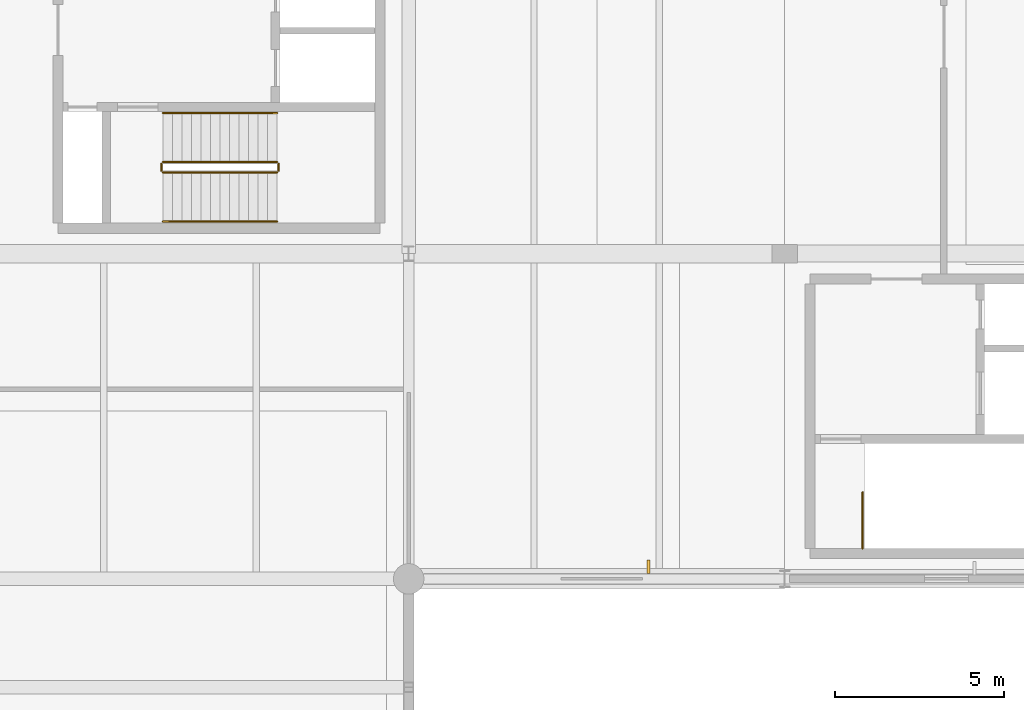
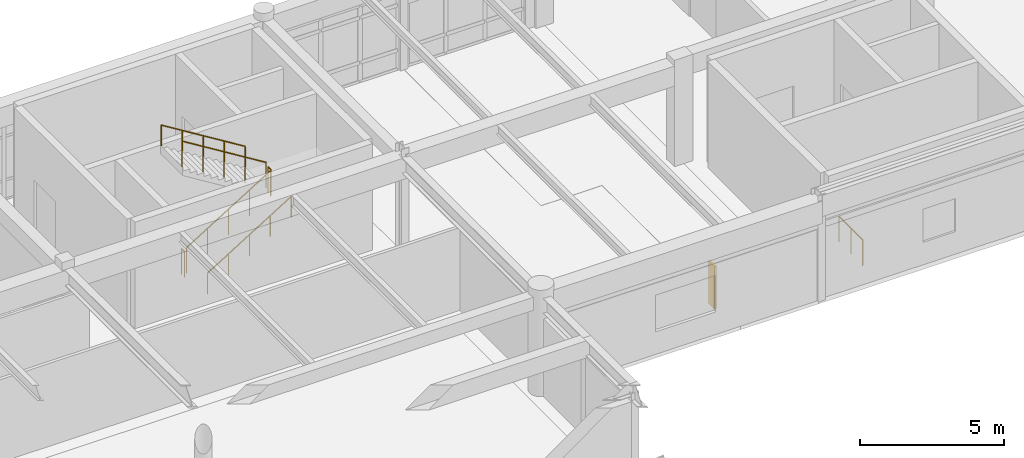
# One storey, part 76 of 80: 7 railings, 1 shading device.
"""IFC4 building model written with IfcOpenShell, lengths in metres."""

from ifc_helpers import new_model, si_unit, direction, frame, origin, origin_2d, place, context, subcontext, project, spatial, rectangle, circle, extrude, material, type_object, element, save


model = new_model("IFC4")

# Units and contexts
model_context = context("Model", 3, precision=1e-05, world=origin(), true_north=direction((0.0, 1.0)))
body_context = subcontext(model_context, "Body", "Model", "MODEL_VIEW")
ifc_project = project(units=[si_unit("LENGTHUNIT", "METRE"), si_unit("AREAUNIT", "SQUARE_METRE"), si_unit("VOLUMEUNIT", "CUBIC_METRE"), si_unit("PLANEANGLEUNIT", "RADIAN"), si_unit("MASSUNIT", "GRAM", prefix="KILO")], contexts=[model_context])

# Site, building, storey
site_placement = place(None, origin())
site = spatial("IfcSite", under=ifc_project, at=site_placement, CompositionType="ELEMENT")
building_placement = place(site_placement, origin())
building = spatial("IfcBuilding", under=site, at=building_placement, Name="Fikremerkos Civic Library", CompositionType="ELEMENT")
storey_placement = place(building_placement, frame((0.0, 0.0, 9.89990234375)))
storey = spatial("IfcBuildingStorey", under=building, at=storey_placement, Name="L02", CompositionType="ELEMENT", Elevation=9.89990234375)

# Railings
ifc_material_1 = material(Name="Painted Steel S275", Category="steel")
railing_type_1 = type_object("IfcRailingType", Name="Interior balustrade guard RLG-INT 1100", PredefinedType="BALUSTRADE", material=ifc_material_1)
railing_1_placement = place(storey_placement, frame((106.449951171875, 24.0, 0.173095703125)))
element("IfcRailing", 1, at=railing_1_placement, inside=storey, type_object=railing_type_1, Name="L02 ST-K2 stair guard 1", PredefinedType="BALUSTRADE", context=body_context, shape_type="SweptSolid", body=[
    extrude(circle(Radius=0.02392578125, at=origin_2d()), frame((0.0, 0.0, 1.076171875), z_axis=(0.850623216509, 0.0, 0.525775754039), x_axis=(0.0, 1.0, 0.0)), (0.0, 0.0, 1.0), 3.9501953125),
    extrude(circle(Radius=0.02099609375, at=origin_2d()), origin(), (0.0, 0.0, 1.0), 1.052001953125),
    extrude(circle(Radius=0.02099609375, at=origin_2d()), frame((0.840087890625, 0.0, 0.519287109375)), (0.0, 0.0, 1.0), 1.052001953125),
    extrude(circle(Radius=0.02099609375, at=origin_2d()), frame((1.68017578125, 0.0, 1.03857421875)), (0.0, 0.0, 1.0), 1.052001953125),
    extrude(circle(Radius=0.02099609375, at=origin_2d()), frame((2.52001953125, 0.0, 1.5576171875)), (0.0, 0.0, 1.0), 1.052001953125),
    extrude(circle(Radius=0.02099609375, at=origin_2d()), frame((3.360107421875, 0.0, 2.076904296875)), (0.0, 0.0, 1.0), 1.052001953125),
])
railing_2_placement = place(storey_placement, frame((109.860107421875, 24.050048828125, 2.25)))
element("IfcRailing", 2, at=railing_2_placement, inside=storey, type_object=railing_type_1, Name="L02 ST-K2 stair guard 2", PredefinedType="BALUSTRADE", context=body_context, shape_type="SweptSolid", body=[
    extrude(circle(Radius=0.02392578125, at=origin_2d()), frame((0.0, 0.0, 1.076171875), z_axis=(0.0, 1.0, 0.0), x_axis=(-1.0, 0.0, 0.0)), (0.0, 0.0, 1.0), 0.199951171875),
    extrude(circle(Radius=0.02099609375, at=origin_2d()), origin(), (0.0, 0.0, 1.0), 1.052001953125),
    extrude(circle(Radius=0.02099609375, at=origin_2d()), frame((0.0, 0.199951171875, 0.0)), (0.0, 0.0, 1.0), 1.052001953125),
])
railing_3_placement = place(storey_placement, frame((109.81005859375, 24.300048828125, 2.423095703125)))
element("IfcRailing", 3, at=railing_3_placement, inside=storey, type_object=railing_type_1, Name="L02 ST-K2 stair guard 3", PredefinedType="BALUSTRADE", context=body_context, shape_type="SweptSolid", body=[
    extrude(circle(Radius=0.02392578125, at=origin_2d()), frame((0.0, 0.0, 1.076171875), z_axis=(-0.850623216509, 0.0, 0.525775754039), x_axis=(0.0, -1.0, 0.0)), (0.0, 0.0, 1.0), 3.9501953125),
    extrude(circle(Radius=0.02099609375, at=origin_2d()), origin(), (0.0, 0.0, 1.0), 1.052001953125),
    extrude(circle(Radius=0.02099609375, at=origin_2d()), frame((-0.840087890625, 0.0, 0.519287109375)), (0.0, 0.0, 1.0), 1.052001953125),
    extrude(circle(Radius=0.02099609375, at=origin_2d()), frame((-1.68017578125, 0.0, 1.03857421875)), (0.0, 0.0, 1.0), 1.052001953125),
    extrude(circle(Radius=0.02099609375, at=origin_2d()), frame((-2.52001953125, 0.0, 1.5576171875)), (0.0, 0.0, 1.0), 1.052001953125),
    extrude(circle(Radius=0.02099609375, at=origin_2d()), frame((-3.360107421875, 0.0, 2.076904296875)), (0.0, 0.0, 1.0), 1.052001953125),
])
railing_4_placement = place(storey_placement, frame((106.39990234375, 24.050048828125, 0.0)))
element("IfcRailing", 4, at=railing_4_placement, inside=storey, type_object=railing_type_1, Name="L02 ST-K2 stair guard 4", PredefinedType="BALUSTRADE", context=body_context, shape_type="SweptSolid", body=[
    extrude(circle(Radius=0.02392578125, at=origin_2d()), frame((0.0, 0.0, 1.076171875), z_axis=(0.0, 1.0, 0.0), x_axis=(-1.0, 0.0, 0.0)), (0.0, 0.0, 1.0), 0.199951171875),
    extrude(circle(Radius=0.02099609375, at=origin_2d()), origin(), (0.0, 0.0, 1.0), 1.052001953125),
    extrude(circle(Radius=0.02099609375, at=origin_2d()), frame((0.0, 0.199951171875, 0.0)), (0.0, 0.0, 1.0), 1.052001953125),
])
railing_5_placement = place(storey_placement, frame((127.10009765625, 12.89990234375, 0.0)))
element("IfcRailing", 5, at=railing_5_placement, inside=storey, type_object=railing_type_1, Name="L02 ST-K4 top well guard 1", PredefinedType="BALUSTRADE", context=body_context, shape_type="SweptSolid", body=[
    extrude(circle(Radius=0.02392578125, at=origin_2d()), frame((0.0, 0.0, 1.076171875), z_axis=(0.0, 1.0, 0.0), x_axis=(-1.0, 0.0, 0.0)), (0.0, 0.0, 1.0), 1.650146484375),
    extrude(circle(Radius=0.02099609375, at=origin_2d()), origin(), (0.0, 0.0, 1.0), 1.052001953125),
    extrude(circle(Radius=0.02099609375, at=origin_2d()), frame((0.0, 0.8251953125, 0.0)), (0.0, 0.0, 1.0), 1.052001953125),
    extrude(circle(Radius=0.02099609375, at=origin_2d()), frame((0.0, 1.650146484375, 0.0)), (0.0, 0.0, 1.0), 1.052001953125),
])

# Shading device
ifc_material_2 = material(Name="Bronze anodized aluminium", Category="aluminium")
shading_device_type = type_object("IfcShadingDeviceType", Name="Perforated bronze vertical solar fin SHD-02", PredefinedType="USERDEFINED", material=ifc_material_2)
shading_device_placement = place(storey_placement, frame((120.780029296875, 12.360107421875, 0.8251953125), z_axis=(0.0, 0.0, 1.0), x_axis=(1.0, 0.0, 0.0)))
element("IfcShadingDevice", 6, at=shading_device_placement, inside=storey, type_object=shading_device_type, Name="Vertical bronze solar fin SHD-02 L02 #47", ObjectType="SOLAR FIN", PredefinedType="USERDEFINED", context=body_context, shape_type="SweptSolid", body=[
    extrude(rectangle(XDim=0.080078125, YDim=0.39990234375, at=origin_2d()), origin(), (0.0, 0.0, 1.0), 1.800048828125),
])

# Railings
ifc_material_3 = material(Name="Brushed stainless steel", Category="steel")
railing_type_2 = type_object("IfcRailingType", Name="Wall and flight handrail HRL-01 900", PredefinedType="HANDRAIL", material=ifc_material_3)
railing_6_placement = place(storey_placement, frame((106.449951171875, 22.550048828125, 0.173095703125)))
element("IfcRailing", 7, at=railing_6_placement, inside=storey, type_object=railing_type_2, Name="L02 ST-K2 stair handrail 1", PredefinedType="HANDRAIL", context=body_context, shape_type="SweptSolid", body=[
    extrude(circle(Radius=0.02392578125, at=origin_2d()), frame((0.0, 0.0, 0.8759765625), z_axis=(0.850623216509, 0.0, 0.525775754039), x_axis=(0.0, 1.0, 0.0)), (0.0, 0.0, 1.0), 3.9501953125),
    extrude(circle(Radius=0.02099609375, at=origin_2d()), origin(), (0.0, 0.0, 1.0), 0.851806640625),
    extrude(circle(Radius=0.02099609375, at=origin_2d()), frame((0.840087890625, 0.0, 0.519287109375)), (0.0, 0.0, 1.0), 0.851806640625),
    extrude(circle(Radius=0.02099609375, at=origin_2d()), frame((1.68017578125, 0.0, 1.03857421875)), (0.0, 0.0, 1.0), 0.851806640625),
    extrude(circle(Radius=0.02099609375, at=origin_2d()), frame((2.52001953125, 0.0, 1.5576171875)), (0.0, 0.0, 1.0), 0.851806640625),
    extrude(circle(Radius=0.02099609375, at=origin_2d()), frame((3.360107421875, 0.0, 2.076904296875)), (0.0, 0.0, 1.0), 0.851806640625),
])
railing_7_placement = place(storey_placement, frame((109.81005859375, 25.75, 2.423095703125)))
element("IfcRailing", 8, at=railing_7_placement, inside=storey, type_object=railing_type_2, Name="L02 ST-K2 stair handrail 2", PredefinedType="HANDRAIL", context=body_context, shape_type="SweptSolid", body=[
    extrude(circle(Radius=0.02392578125, at=origin_2d()), frame((0.0, 0.0, 0.8759765625), z_axis=(-0.850623216509, 0.0, 0.525775754039), x_axis=(0.0, -1.0, 0.0)), (0.0, 0.0, 1.0), 3.9501953125),
    extrude(circle(Radius=0.02099609375, at=origin_2d()), origin(), (0.0, 0.0, 1.0), 0.851806640625),
    extrude(circle(Radius=0.02099609375, at=origin_2d()), frame((-0.840087890625, 0.0, 0.519287109375)), (0.0, 0.0, 1.0), 0.851806640625),
    extrude(circle(Radius=0.02099609375, at=origin_2d()), frame((-1.68017578125, 0.0, 1.03857421875)), (0.0, 0.0, 1.0), 0.851806640625),
    extrude(circle(Radius=0.02099609375, at=origin_2d()), frame((-2.52001953125, 0.0, 1.5576171875)), (0.0, 0.0, 1.0), 0.851806640625),
    extrude(circle(Radius=0.02099609375, at=origin_2d()), frame((-3.360107421875, 0.0, 2.076904296875)), (0.0, 0.0, 1.0), 0.851806640625),
])

save(model, "model.ifc")
